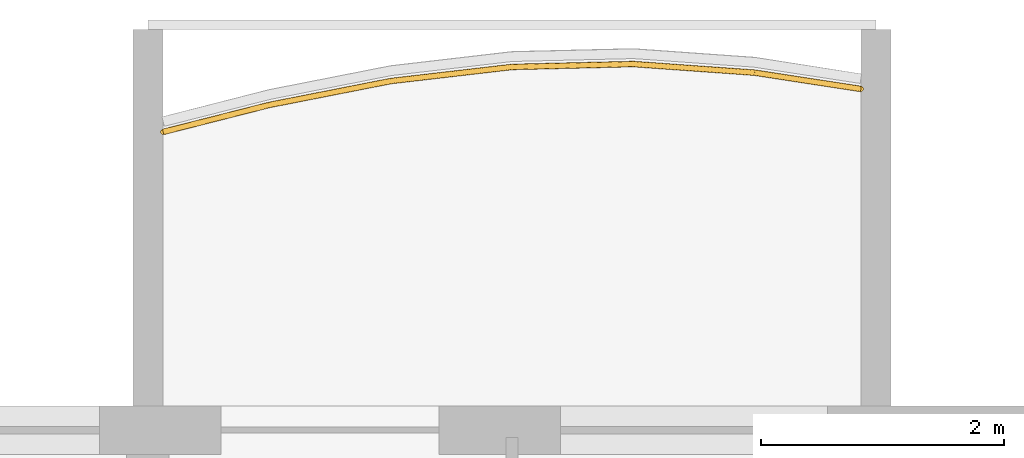
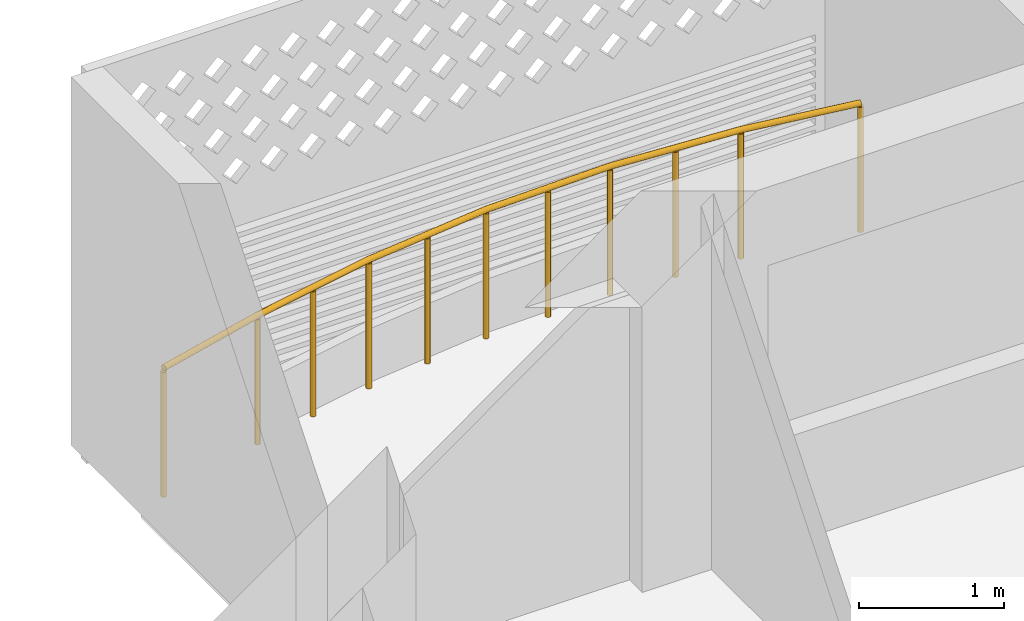
# One storey, part 30 of 31: 1 railing.
"""IFC4 building model written with IfcOpenShell, lengths in metres."""

from ifc_helpers import new_model, si_unit, direction, frame, origin, origin_2d, place, context, subcontext, project, spatial, circle, extrude, material, type_object, element, save


model = new_model("IFC4")

# Units and contexts
model_context = context("Model", 3, precision=1e-05, world=origin(), true_north=direction((0.0, 1.0)))
body_context = subcontext(model_context, "Body", "Model", "MODEL_VIEW")
ifc_project = project(units=[si_unit("LENGTHUNIT", "METRE"), si_unit("AREAUNIT", "SQUARE_METRE"), si_unit("VOLUMEUNIT", "CUBIC_METRE"), si_unit("PLANEANGLEUNIT", "RADIAN"), si_unit("MASSUNIT", "GRAM", prefix="KILO")], contexts=[model_context])

# Site, building, storey
site_placement = place(None, origin())
site = spatial("IfcSite", under=ifc_project, at=site_placement, CompositionType="ELEMENT")
building_placement = place(site_placement, origin())
building = spatial("IfcBuilding", under=site, at=building_placement, Name="Poui Terraces", CompositionType="ELEMENT")
storey_placement = place(building_placement, frame((0.0, 0.0, 82.800048828125)))
storey = spatial("IfcBuildingStorey", under=building, at=storey_placement, Name="L22", CompositionType="ELEMENT", Elevation=82.800048828125)

# Railing
ifc_material = material(Name="Painted steel fretwork", Category="steel")
railing_type = type_object("IfcRailingType", Name="BALCONY GUARD 1100", PredefinedType="GUARDRAIL", material=ifc_material)
railing_placement = place(storey_placement, frame((84.125, 46.0576171875, 0.0)))
element("IfcRailing", 1, at=railing_placement, inside=storey, type_object=railing_type, Name="BALCONY GUARD", PredefinedType="GUARDRAIL", context=body_context, shape_type="SweptSolid", body=[
    extrude(circle(Radius=0.02392578125, at=origin_2d()), frame((0.0, 0.0, 1.076171875), z_axis=(0.969180569624, 0.246351422692, 0.0), x_axis=(-0.246351422692, 0.969180569624, 0.0)), (0.0, 0.0, 1.0), 0.90283203125),
    extrude(circle(Radius=0.02392578125, at=origin_2d()), frame((0.875, 0.222412109375, 1.076171875), z_axis=(0.981184042676, 0.193074789648, 0.0), x_axis=(-0.193074789648, 0.981184042676, 0.0)), (0.0, 0.0, 1.0), 1.019287109375),
    extrude(circle(Radius=0.02392578125, at=origin_2d()), frame((1.875, 0.419189453125, 1.076171875), z_axis=(0.993315142472, 0.11543408394, 0.0), x_axis=(-0.11543408394, 0.993315142472, 0.0)), (0.0, 0.0, 1.0), 1.0068359375),
    extrude(circle(Radius=0.02392578125, at=origin_2d()), frame((2.875, 0.535400390625, 1.076171875), z_axis=(0.999713901321, 0.023918936116, 0.0), x_axis=(-0.023918936116, 0.999713901321, 0.0)), (0.0, 0.0, 1.0), 1.000244140625),
    extrude(circle(Radius=0.02392578125, at=origin_2d()), frame((3.875, 0.559326171875, 1.076171875), z_axis=(0.997485823051, -0.07086630237, 0.0), x_axis=(0.07086630237, 0.997485823051, 0.0)), (0.0, 0.0, 1.0), 1.00244140625),
    extrude(circle(Radius=0.02392578125, at=origin_2d()), frame((4.875, 0.48828125, 1.076171875), z_axis=(0.988429016946, -0.151684140435, 0.0), x_axis=(0.151684140435, 0.988429016946, 0.0)), (0.0, 0.0, 1.0), 0.88525390625),
    extrude(circle(Radius=0.02099609375, at=origin_2d()), origin(), (0.0, 0.0, 1.0), 1.052001953125),
    extrude(circle(Radius=0.02099609375, at=origin_2d()), frame((0.875, 0.222412109375, 0.0)), (0.0, 0.0, 1.0), 1.052001953125),
    extrude(circle(Radius=0.02099609375, at=origin_2d()), frame((1.375, 0.32080078125, 0.0)), (0.0, 0.0, 1.0), 1.052001953125),
    extrude(circle(Radius=0.02099609375, at=origin_2d()), frame((1.875, 0.419189453125, 0.0)), (0.0, 0.0, 1.0), 1.052001953125),
    extrude(circle(Radius=0.02099609375, at=origin_2d()), frame((2.375, 0.477294921875, 0.0)), (0.0, 0.0, 1.0), 1.052001953125),
    extrude(circle(Radius=0.02099609375, at=origin_2d()), frame((2.875, 0.535400390625, 0.0)), (0.0, 0.0, 1.0), 1.052001953125),
    extrude(circle(Radius=0.02099609375, at=origin_2d()), frame((3.375, 0.54736328125, 0.0)), (0.0, 0.0, 1.0), 1.052001953125),
    extrude(circle(Radius=0.02099609375, at=origin_2d()), frame((3.875, 0.559326171875, 0.0)), (0.0, 0.0, 1.0), 1.052001953125),
    extrude(circle(Radius=0.02099609375, at=origin_2d()), frame((4.375, 0.52392578125, 0.0)), (0.0, 0.0, 1.0), 1.052001953125),
    extrude(circle(Radius=0.02099609375, at=origin_2d()), frame((4.875, 0.48828125, 0.0)), (0.0, 0.0, 1.0), 1.052001953125),
    extrude(circle(Radius=0.02099609375, at=origin_2d()), frame((5.75, 0.35400390625, 0.0)), (0.0, 0.0, 1.0), 1.052001953125),
])

save(model, "model.ifc")
